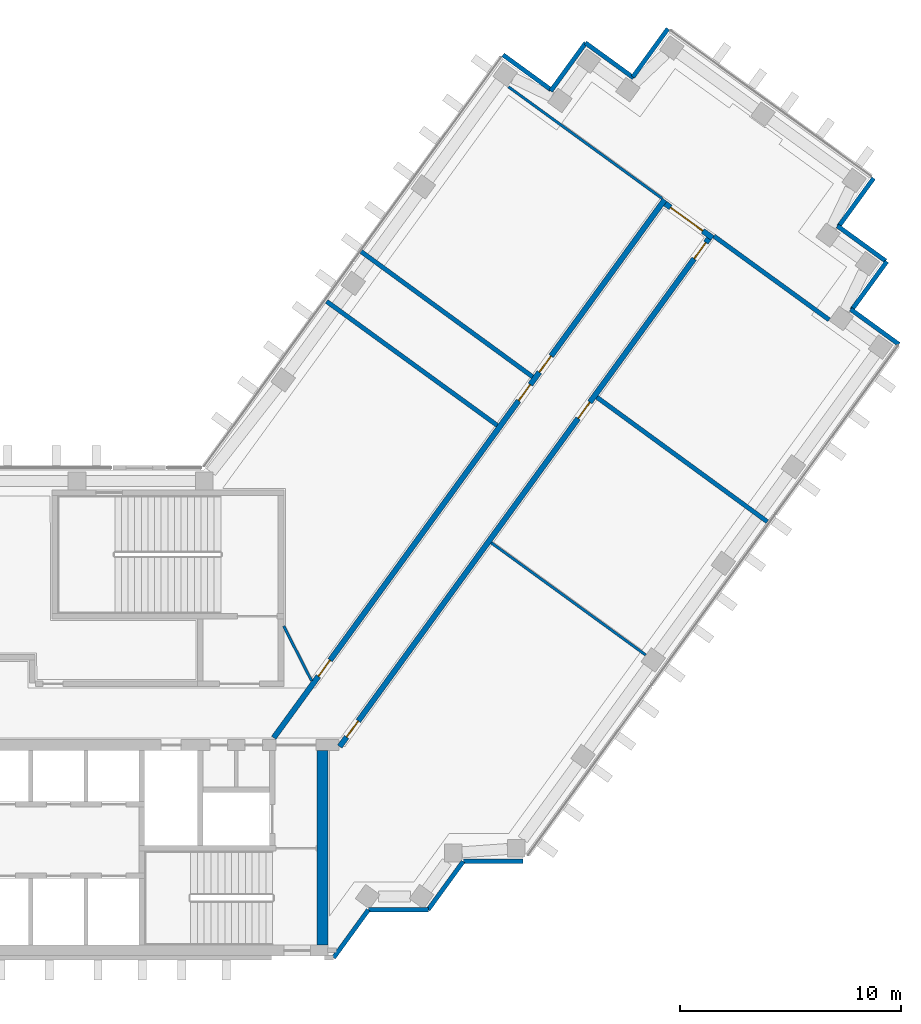
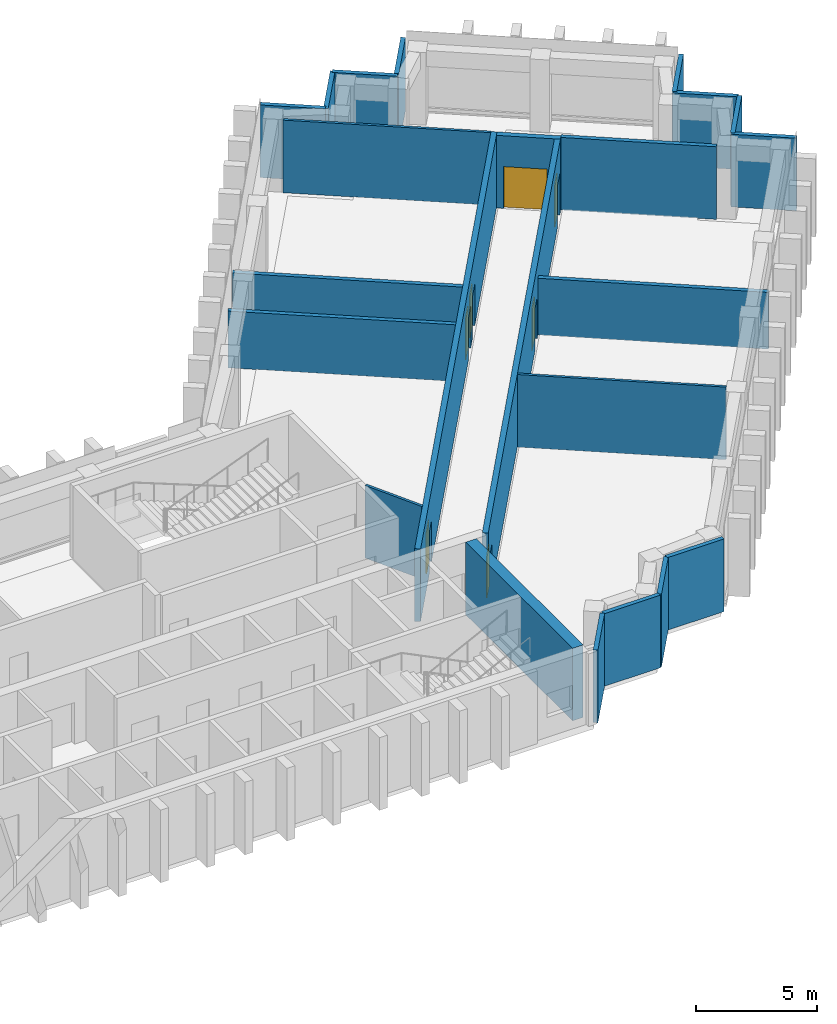
# One storey, part 8 of 11: 23 walls, 7 doors, 7 openings.
"""IFC4 building model written with IfcOpenShell, lengths in metres."""

from ifc_helpers import new_model, si_unit, direction, frame, frame_2d, origin, place, context, subcontext, project, spatial, rectangle, extrude, material, layer, layer_set, type_object, element, fill, save


model = new_model("IFC4")

# Units and contexts
model_context = context("Model", 3, precision=1e-05, world=origin(), true_north=direction((0.0, 1.0)))
body_context = subcontext(model_context, "Body", "Model", "MODEL_VIEW")
ifc_project = project(units=[si_unit("LENGTHUNIT", "METRE"), si_unit("AREAUNIT", "SQUARE_METRE"), si_unit("VOLUMEUNIT", "CUBIC_METRE"), si_unit("PLANEANGLEUNIT", "RADIAN"), si_unit("MASSUNIT", "GRAM", prefix="KILO")], contexts=[model_context])

# Site, building, storey
site_placement = place(None, origin())
site = spatial("IfcSite", under=ifc_project, at=site_placement, CompositionType="ELEMENT")
building_placement = place(site_placement, origin())
building = spatial("IfcBuilding", under=site, at=building_placement, Name="Quipu Civic Tower", CompositionType="ELEMENT")
storey_placement = place(building_placement, frame((0.0, 0.0, 144.0)))
storey = spatial("IfcBuildingStorey", under=building, at=storey_placement, Name="L33", CompositionType="ELEMENT", Elevation=144.0)

# Walls
ifc_material_1 = material(Name="Fired clay blockwork", Category="masonry")
ifc_layer_1 = layer(ifc_material_1, 0.199951171875)
ifc_layer_set_1 = layer_set([ifc_layer_1], Name="Fired clay blockwork")
wall_type_1 = type_object("IfcWallType", Name="Blockwork wall 200", PredefinedType="SOLIDWALL", material=ifc_layer_set_1)
wall_1_placement = place(storey_placement, frame((27.664306640625, 13.015869140625, 0.0), z_axis=(0.0, 0.0, 1.0), x_axis=(-0.80900684162, 0.587799226107, 0.0)))
element("IfcWall", 1, at=wall_1_placement, inside=storey, type_object=wall_type_1, Name="Partition P03", PredefinedType="SOLIDWALL", context=body_context, shape_type="SweptSolid", body=[
    extrude(rectangle(XDim=9.550048828125, YDim=0.199951171875, at=frame_2d((4.77490234375, 0.0))), origin(), (0.0, 0.0, 1.0), 2.85009765625),
])
wall_2_placement = place(storey_placement, frame((21.46875, 20.90771484375, 0.0), z_axis=(0.0, 0.0, 1.0), x_axis=(0.807593618158, -0.589739389824, 0.0)))
element("IfcWall", 2, at=wall_2_placement, inside=storey, type_object=wall_type_1, Name="Partition P04", PredefinedType="SOLIDWALL", context=body_context, shape_type="SweptSolid", body=[
    extrude(rectangle(XDim=9.651123046875, YDim=0.199951171875, at=frame_2d((4.82568359375, 0.0))), origin(), (0.0, 0.0, 1.0), 2.85009765625),
])
wall_3_placement = place(storey_placement, frame((42.68603515625, 17.793701171875, 0.0), z_axis=(0.0, 0.0, 1.0), x_axis=(-0.809017755079, 0.587784205272, 0.0)))
element("IfcWall", 3, at=wall_3_placement, inside=storey, type_object=wall_type_1, Name="Partition P10", PredefinedType="SOLIDWALL", context=body_context, shape_type="SweptSolid", body=[
    extrude(rectangle(XDim=6.444580078125, YDim=0.199951171875, at=frame_2d((3.22216796875, 0.0))), origin(), (0.0, 0.0, 1.0), 3.64990234375),
])
wall_4_placement = place(storey_placement, frame((32.173828125, 14.2880859375, 0.0), z_axis=(0.0, 0.0, 1.0), x_axis=(0.807664588563, -0.589642190131, 0.0)))
element("IfcWall", 4, at=wall_4_placement, inside=storey, type_object=wall_type_1, Name="Partition P11", PredefinedType="SOLIDWALL", context=body_context, shape_type="SweptSolid", body=[
    extrude(rectangle(XDim=9.549560546875, YDim=0.199951171875, at=frame_2d((4.77490234375, 0.0))), origin(), (0.0, 0.0, 1.0), 2.85009765625),
])
ifc_material_2 = material(Name="Concrete C70/85", Category="concrete")
ifc_layer_2 = layer(ifc_material_2, 0.5)
ifc_layer_set_2 = layer_set([ifc_layer_2], Name="Concrete C70/85")
wall_type_2 = type_object("IfcWallType", Name="Core wall 500", PredefinedType="SHEAR", material=ifc_layer_set_2)
wall_5_placement = place(storey_placement, frame((19.75, -10.5, 0.0), z_axis=(0.0, 0.0, 1.0), x_axis=(0.0, 1.0, 0.0)))
element("IfcWall", 5, at=wall_5_placement, inside=storey, type_object=wall_type_2, Name="Core wall", PredefinedType="SHEAR", context=body_context, shape_type="SweptSolid", body=[
    extrude(rectangle(XDim=8.800048828125, YDim=0.5, at=frame_2d((4.39990234375, 0.0))), origin(), (0.0, 0.0, 1.0), 3.64990234375),
])

# Wall, openings, doors
ifc_material_3 = material(Name="Concrete C50/60", Category="concrete")
ifc_layer_3 = layer(ifc_material_3, 0.25)
ifc_layer_set_3 = layer_set([ifc_layer_3], Name="Concrete C50/60")
wall_type_3 = type_object("IfcWallType", Name="Corridor wall 250 concrete", PredefinedType="SOLIDWALL", material=ifc_layer_set_3)
wall_6_placement = place(storey_placement, frame((17.544921875, -1.124755859375, 0.0), z_axis=(0.0, 0.0, 1.0), x_axis=(0.587786330937, 0.809016210693, 0.0)))
wall_6 = element("IfcWall", 6, at=wall_6_placement, inside=storey, type_object=wall_type_3, Name="Corridor wall C01", PredefinedType="SOLIDWALL", context=body_context, shape_type="SweptSolid", body=[
    extrude(rectangle(XDim=30.10302734375, YDim=0.25, at=frame_2d((15.051513671875, 0.0))), origin(), (0.0, 0.0, 1.0), 3.64990234375),
])
opening_1_placement = place(wall_6_placement, frame((3.44140625, 0.0, 0.0)))
opening_1 = element("IfcOpeningElement", 7, at=opening_1_placement, cuts=wall_6, Name="Opening D001", PredefinedType="OPENING", context=body_context, shape_type="SweptSolid", body=[
    extrude(rectangle(XDim=0.89990234375, YDim=2.10009765625, at=frame_2d((0.449951171875, 1.050048828125))), frame((0.0, 0.135009765625, 0.0), z_axis=(0.0, -1.0, 0.0), x_axis=(1.0, 0.0, 0.0)), (0.0, 0.0, 1.0), 0.27001953125),
])
opening_2_placement = place(wall_6_placement, frame((20.457275390625, 0.0, 0.0)))
opening_2 = element("IfcOpeningElement", 8, at=opening_2_placement, cuts=wall_6, Name="Opening D003", PredefinedType="OPENING", context=body_context, shape_type="SweptSolid", body=[
    extrude(rectangle(XDim=0.89990234375, YDim=2.10009765625, at=frame_2d((0.449951171875, 1.050048828125))), frame((0.0, 0.135009765625, 0.0), z_axis=(0.0, -1.0, 0.0), x_axis=(1.0, 0.0, 0.0)), (0.0, 0.0, 1.0), 0.27001953125),
])
opening_3_placement = place(wall_6_placement, frame((18.85791015625, 0.0, 0.0)))
opening_3 = element("IfcOpeningElement", 9, at=opening_3_placement, cuts=wall_6, Name="Opening D002", PredefinedType="OPENING", context=body_context, shape_type="SweptSolid", body=[
    extrude(rectangle(XDim=0.89990234375, YDim=2.10009765625, at=frame_2d((0.449951171875, 1.050048828125))), frame((0.0, 0.135009765625, 0.0), z_axis=(0.0, -1.0, 0.0), x_axis=(1.0, 0.0, 0.0)), (0.0, 0.0, 1.0), 0.27001953125),
])
ifc_material_4 = material(Name="Fire rated timber door set with metal frame", Category="wood")
door_type_1 = type_object("IfcDoorType", Name="Single door 900 x 2100 FD60", OperationType="NOTDEFINED", PredefinedType="DOOR", material=ifc_material_4)
door_1_placement = place(opening_1_placement, origin())
door_1 = element("IfcDoor", 10, at=door_1_placement, inside=storey, type_object=door_type_1, Name="Door D001", OperationType="SINGLE_SWING_LEFT", OverallHeight=2.10009765625, OverallWidth=0.89990234375, PredefinedType="DOOR", context=body_context, shape_type="SweptSolid", body=[
    extrude(rectangle(XDim=0.89990234375, YDim=2.10009765625, at=frame_2d((0.449951171875, 1.050048828125))), frame((0.0, 0.02490234375, 0.0), z_axis=(0.0, -1.0, 0.0), x_axis=(1.0, 0.0, 0.0)), (0.0, 0.0, 1.0), 0.050048828125),
])
fill(opening_1, door_1)
door_2_placement = place(opening_2_placement, origin())
door_2 = element("IfcDoor", 11, at=door_2_placement, inside=storey, type_object=door_type_1, Name="Door D003", OperationType="SINGLE_SWING_LEFT", OverallHeight=2.10009765625, OverallWidth=0.89990234375, PredefinedType="DOOR", context=body_context, shape_type="SweptSolid", body=[
    extrude(rectangle(XDim=0.89990234375, YDim=2.10009765625, at=frame_2d((0.449951171875, 1.050048828125))), frame((0.0, 0.02490234375, 0.0), z_axis=(0.0, -1.0, 0.0), x_axis=(1.0, 0.0, 0.0)), (0.0, 0.0, 1.0), 0.050048828125),
])
fill(opening_2, door_2)
door_3_placement = place(opening_3_placement, origin())
door_3 = element("IfcDoor", 12, at=door_3_placement, inside=storey, type_object=door_type_1, Name="Door D002", OperationType="SINGLE_SWING_RIGHT", OverallHeight=2.10009765625, OverallWidth=0.89990234375, PredefinedType="DOOR", context=body_context, shape_type="SweptSolid", body=[
    extrude(rectangle(XDim=0.89990234375, YDim=2.10009765625, at=frame_2d((0.449951171875, 1.050048828125))), frame((0.0, 0.02490234375, 0.0), z_axis=(0.0, -1.0, 0.0), x_axis=(1.0, 0.0, 0.0)), (0.0, 0.0, 1.0), 0.050048828125),
])
fill(opening_3, door_3)

# Wall, opening, door
wall_7_placement = place(storey_placement, frame((35.2666015625, 23.054443359375, 0.0), z_axis=(0.0, 0.0, 1.0), x_axis=(0.809038743598, -0.587755315891, 0.0)))
wall_7 = element("IfcWall", 13, at=wall_7_placement, inside=storey, type_object=wall_type_3, Name="Corridor wall C02", PredefinedType="SOLIDWALL", context=body_context, shape_type="SweptSolid", body=[
    extrude(rectangle(XDim=2.650146484375, YDim=0.25, at=frame_2d((1.3251953125, 0.0))), origin(), (0.0, 0.0, 1.0), 3.64990234375),
])
opening_4_placement = place(wall_7_placement, frame((0.300048828125, 0.0, 0.0)))
opening_4 = element("IfcOpeningElement", 14, at=opening_4_placement, cuts=wall_7, Name="Opening D007", PredefinedType="OPENING", context=body_context, shape_type="SweptSolid", body=[
    extrude(rectangle(XDim=1.800048828125, YDim=2.10009765625, at=frame_2d((0.89990234375, 1.050048828125))), frame((0.0, 0.135009765625, 0.0), z_axis=(0.0, -1.0, 0.0), x_axis=(1.0, 0.0, 0.0)), (0.0, 0.0, 1.0), 0.27001953125),
])
ifc_material_5 = material(Name="Fire rated timber door set with metal frame", Category="wood")
door_type_2 = type_object("IfcDoorType", Name="Double door 1800 x 2100 FD60", OperationType="DOUBLE_DOOR_SINGLE_SWING", PredefinedType="DOOR", material=ifc_material_5)
door_4_placement = place(opening_4_placement, origin())
door_4 = element("IfcDoor", 15, at=door_4_placement, inside=storey, type_object=door_type_2, Name="Door D007", OperationType="DOUBLE_DOOR_SINGLE_SWING", OverallHeight=2.10009765625, OverallWidth=1.800048828125, PredefinedType="DOOR", context=body_context, shape_type="SweptSolid", body=[
    extrude(rectangle(XDim=1.800048828125, YDim=2.10009765625, at=frame_2d((0.89990234375, 1.050048828125))), frame((0.0, 0.02490234375, 0.0), z_axis=(0.0, -1.0, 0.0), x_axis=(1.0, 0.0, 0.0)), (0.0, 0.0, 1.0), 0.050048828125),
])
fill(opening_4, door_4)

# Wall, openings, doors
wall_8_placement = place(storey_placement, frame((37.236083984375, 21.46923828125, 0.0), z_axis=(0.0, 0.0, 1.0), x_axis=(-0.58778344073, -0.809018310549, 0.0)))
wall_8 = element("IfcWall", 16, at=wall_8_placement, inside=storey, type_object=wall_type_3, Name="Corridor wall C03", PredefinedType="SOLIDWALL", context=body_context, shape_type="SweptSolid", body=[
    extrude(rectangle(XDim=28.42041015625, YDim=0.25, at=frame_2d((14.210205078125, 0.0))), origin(), (0.0, 0.0, 1.0), 3.64990234375),
])
opening_5_placement = place(wall_8_placement, frame((26.987548828125, 0.0, 0.0)))
opening_5 = element("IfcOpeningElement", 17, at=opening_5_placement, cuts=wall_8, Name="Opening D004", PredefinedType="OPENING", context=body_context, shape_type="SweptSolid", body=[
    extrude(rectangle(XDim=0.89990234375, YDim=2.10009765625, at=frame_2d((0.449951171875, 1.050048828125))), frame((0.0, 0.135009765625, 0.0), z_axis=(0.0, -1.0, 0.0), x_axis=(1.0, 0.0, 0.0)), (0.0, 0.0, 1.0), 0.27001953125),
])
opening_6_placement = place(wall_8_placement, frame((0.224365234375, 0.0, 0.0)))
opening_6 = element("IfcOpeningElement", 18, at=opening_6_placement, cuts=wall_8, Name="Opening D006", PredefinedType="OPENING", context=body_context, shape_type="SweptSolid", body=[
    extrude(rectangle(XDim=0.89990234375, YDim=2.10009765625, at=frame_2d((0.449951171875, 1.050048828125))), frame((0.0, 0.135009765625, 0.0), z_axis=(0.0, -1.0, 0.0), x_axis=(1.0, 0.0, 0.0)), (0.0, 0.0, 1.0), 0.27001953125),
])
opening_7_placement = place(wall_8_placement, frame((9.15478515625, 0.0, 0.0)))
opening_7 = element("IfcOpeningElement", 19, at=opening_7_placement, cuts=wall_8, Name="Opening D005", PredefinedType="OPENING", context=body_context, shape_type="SweptSolid", body=[
    extrude(rectangle(XDim=0.89990234375, YDim=2.10009765625, at=frame_2d((0.449951171875, 1.050048828125))), frame((0.0, 0.135009765625, 0.0), z_axis=(0.0, -1.0, 0.0), x_axis=(1.0, 0.0, 0.0)), (0.0, 0.0, 1.0), 0.27001953125),
])
door_5_placement = place(opening_5_placement, origin())
door_5 = element("IfcDoor", 20, at=door_5_placement, inside=storey, type_object=door_type_1, Name="Door D004", OperationType="SINGLE_SWING_RIGHT", OverallHeight=2.10009765625, OverallWidth=0.89990234375, PredefinedType="DOOR", context=body_context, shape_type="SweptSolid", body=[
    extrude(rectangle(XDim=0.89990234375, YDim=2.10009765625, at=frame_2d((0.449951171875, 1.050048828125))), frame((0.0, 0.02490234375, 0.0), z_axis=(0.0, -1.0, 0.0), x_axis=(1.0, 0.0, 0.0)), (0.0, 0.0, 1.0), 0.050048828125),
])
fill(opening_5, door_5)
door_6_placement = place(opening_6_placement, origin())
door_6 = element("IfcDoor", 21, at=door_6_placement, inside=storey, type_object=door_type_1, Name="Door D006", OperationType="SINGLE_SWING_LEFT", OverallHeight=2.10009765625, OverallWidth=0.89990234375, PredefinedType="DOOR", context=body_context, shape_type="SweptSolid", body=[
    extrude(rectangle(XDim=0.89990234375, YDim=2.10009765625, at=frame_2d((0.449951171875, 1.050048828125))), frame((0.0, 0.02490234375, 0.0), z_axis=(0.0, -1.0, 0.0), x_axis=(1.0, 0.0, 0.0)), (0.0, 0.0, 1.0), 0.050048828125),
])
fill(opening_6, door_6)
door_7_placement = place(opening_7_placement, origin())
door_7 = element("IfcDoor", 22, at=door_7_placement, inside=storey, type_object=door_type_1, Name="Door D005", OperationType="SINGLE_SWING_LEFT", OverallHeight=2.10009765625, OverallWidth=0.89990234375, PredefinedType="DOOR", context=body_context, shape_type="SweptSolid", body=[
    extrude(rectangle(XDim=0.89990234375, YDim=2.10009765625, at=frame_2d((0.449951171875, 1.050048828125))), frame((0.0, 0.02490234375, 0.0), z_axis=(0.0, -1.0, 0.0), x_axis=(1.0, 0.0, 0.0)), (0.0, 0.0, 1.0), 0.050048828125),
])
fill(opening_7, door_7)

# Walls
ifc_material_6 = material(Name="Gypsum plasterboard on light gauge framing")
ifc_layer_4 = layer(ifc_material_6, 0.1201171875)
ifc_layer_set_4 = layer_set([ifc_layer_4], Name="Gypsum plasterboard on light gauge framing")
wall_type_4 = type_object("IfcWallType", Name="Partition 120 plasterboard", PredefinedType="PARTITIONING", material=ifc_layer_set_4)
wall_9_placement = place(storey_placement, frame((35.1259765625, 23.286376953125, 0.0), z_axis=(0.0, 0.0, 1.0), x_axis=(-0.809030614944, 0.58776650473, 0.0)))
element("IfcWall", 23, at=wall_9_placement, inside=storey, type_object=wall_type_4, Name="Partition P05", PredefinedType="PARTITIONING", context=body_context, shape_type="SweptSolid", body=[
    extrude(rectangle(XDim=8.599853515625, YDim=0.1201171875, at=frame_2d((4.2998046875, 0.0))), origin(), (0.0, 0.0, 1.0), 3.64990234375),
])
wall_10_placement = place(storey_placement, frame((34.383056640625, 2.622314453125, 0.0), z_axis=(0.0, 0.0, 1.0), x_axis=(-0.809060825193, 0.587724919617, 0.0)))
element("IfcWall", 24, at=wall_10_placement, inside=storey, type_object=wall_type_4, Name="Partition P06", PredefinedType="PARTITIONING", context=body_context, shape_type="SweptSolid", body=[
    extrude(rectangle(XDim=8.64453125, YDim=0.1201171875, at=frame_2d((4.322265625, 0.0))), origin(), (0.0, 0.0, 1.0), 3.64990234375),
])
wall_11_placement = place(storey_placement, frame((18.0, 3.925048828125, 0.0), z_axis=(0.0, 0.0, 1.0), x_axis=(0.453950796792, -0.891026752736, 0.0)))
element("IfcWall", 25, at=wall_11_placement, inside=storey, type_object=wall_type_4, Name="Partition P14", PredefinedType="PARTITIONING", context=body_context, shape_type="SweptSolid", body=[
    extrude(rectangle(XDim=2.77783203125, YDim=0.1201171875, at=frame_2d((1.388916015625, 0.0))), origin(), (0.0, 0.0, 1.0), 3.64990234375),
])
ifc_material_7 = material(Name="Precast concrete C40/50", Category="concrete")
wall_type_5 = type_object("IfcWallType", Name="Precast cladding wall", PredefinedType="SOLIDWALL", material=ifc_material_7)
wall_12_placement = place(storey_placement, frame((20.253173828125, -11.083251953125, 0.0), z_axis=(0.0, 0.0, 1.0), x_axis=(0.587766567315, 0.809030569476, 0.0)))
element("IfcWall", 26, at=wall_12_placement, inside=storey, type_object=wall_type_5, Name="Precast cladding wall L33 12", PredefinedType="SOLIDWALL", context=body_context, shape_type="SweptSolid", body=[
    extrude(rectangle(XDim=2.687744140625, YDim=0.199951171875, at=frame_2d((1.34375, 0.0))), origin(), (0.0, 0.0, 1.0), 3.64990234375),
])
wall_13_placement = place(storey_placement, frame((21.8427734375, -8.90380859375, 0.0), z_axis=(0.0, 0.0, 1.0), x_axis=(1.0, 0.0, 0.0)))
element("IfcWall", 27, at=wall_13_placement, inside=storey, type_object=wall_type_5, Name="Precast cladding wall L33 13", PredefinedType="SOLIDWALL", context=body_context, shape_type="SweptSolid", body=[
    extrude(rectangle(XDim=2.699951171875, YDim=0.199951171875, at=frame_2d((1.35009765625, 0.0))), origin(), (0.0, 0.0, 1.0), 3.64990234375),
])
wall_14_placement = place(storey_placement, frame((24.533203125, -8.90869140625, 0.0), z_axis=(0.0, 0.0, 1.0), x_axis=(0.587720002413, 0.809064397168, 0.0)))
element("IfcWall", 28, at=wall_14_placement, inside=storey, type_object=wall_type_5, Name="Precast cladding wall L33 14", PredefinedType="SOLIDWALL", context=body_context, shape_type="SweptSolid", body=[
    extrude(rectangle(XDim=2.7001953125, YDim=0.199951171875, at=frame_2d((1.35009765625, 0.0))), origin(), (0.0, 0.0, 1.0), 3.64990234375),
])
for number, where, z_axis, x_axis, name in (
    (29, (26.1298828125, -6.71923828125, 0.0), (0.0, 0.0, 1.0), (1.0, 0.0, 0.0), "Precast cladding wall L33 15"),
    (30, (45.84228515625, 16.6845703125, 0.0), (0.0, 0.0, 1.0), (-0.808958916286, 0.58786518162, 0.0), "Precast cladding wall L33 17"),
    (31, (43.70947265625, 18.249267578125, 0.0), (0.0, 0.0, 1.0), (0.587762999008, 0.809033161865, 0.0), "Precast cladding wall L33 18"),
    (32, (45.2451171875, 20.4560546875, 0.0), (0.0, 0.0, 1.0), (-0.809033161865, 0.587762999008, 0.0), "Precast cladding wall L33 19"),
    (33, (43.112548828125, 22.020263671875, 0.0), (0.0, 0.0, 1.0), (0.587762999008, 0.809033161865, 0.0), "Precast cladding wall L33 20"),
    (34, (35.3876953125, 30.97021484375, 0.0), (0.0, 0.0, 1.0), (-0.587762999008, -0.809033161865, 0.0), "Precast cladding wall L33 22"),
    (35, (33.837890625, 28.743896484375, 0.0), (0.0, 0.0, 1.0), (-0.809033161865, 0.587762999008, 0.0), "Precast cladding wall L33 23"),
    (36, (31.67041015625, 30.33349609375, 0.0), (0.0, 0.0, 1.0), (-0.587762999008, -0.809033161865, 0.0), "Precast cladding wall L33 24"),
    (37, (30.105712890625, 28.2001953125, 0.0), (0.0, 0.0, 1.0), (-0.809033161865, 0.587762999008, 0.0), "Precast cladding wall L33 25"),
):
    element("IfcWall", number, at=place(storey_placement, frame(where, z_axis=z_axis, x_axis=x_axis)), inside=storey, type_object=wall_type_5, Name=name, PredefinedType="SOLIDWALL", context=body_context, shape_type="SweptSolid", body=[
        extrude(rectangle(XDim=2.699951171875, YDim=0.199951171875, at=frame_2d((1.35009765625, 0.0))), origin(), (0.0, 0.0, 1.0), 3.64990234375),
    ])

save(model, "model.ifc")
